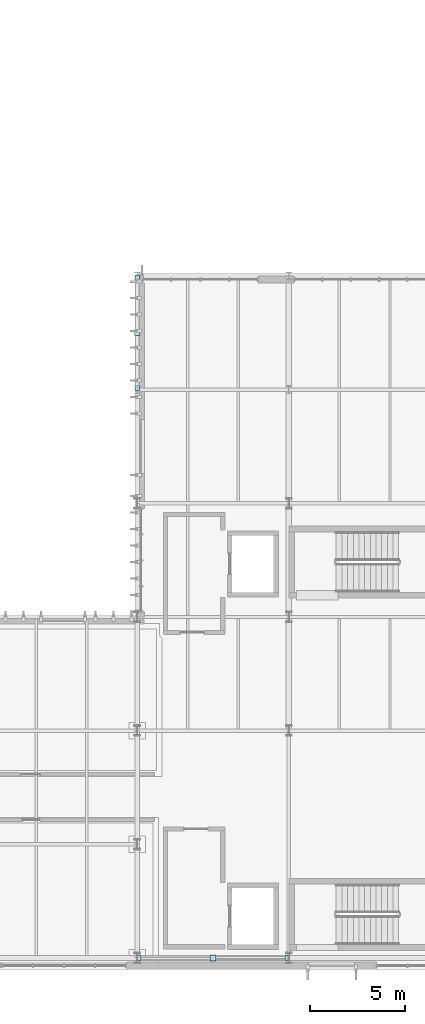
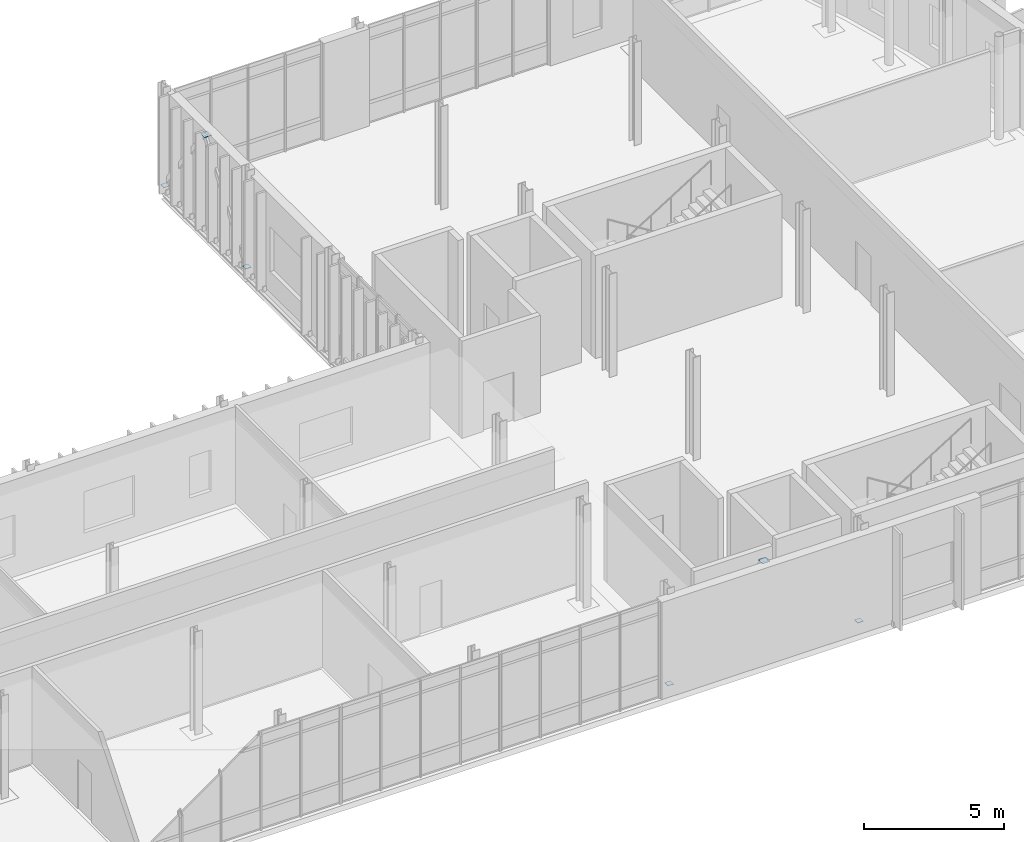
# One storey, part 58 of 86: 6 plates.
"""IFC4 building model written with IfcOpenShell, lengths in metres."""

import ifcopenshell
import ifcopenshell.guid

model = None  # the IFC model being written
_history = None  # IfcOwnerHistory: only IFC2X3 demands one
_inside = {}  # id of a spatial element -> (the spatial element, [elements in it])
_under = {}  # id of a project, library or spatial element -> (it, [spatial elements below it])
_declared = {}  # id of a project -> (the project, [libraries it declares])
_typed = {}  # id of a type object -> (the type object, [elements of that type])
_made_of = {}  # id of a material, layer set ... -> (it, [elements and type objects made of it])


def new_model(schema):
    """Start an empty IFC model of exactly this schema.

    Asked for "IFC4X3", IfcOpenShell would pick the latest addendum, in which some entities
    have other attributes; the version numbers below select the first issue.
    IFC2X3 requires an IfcOwnerHistory on every rooted entity: one is made here for all.
    """
    global model, _history
    if schema == "IFC4X3":
        model = ifcopenshell.file(schema_version=(4, 3, 0, 0))
    else:
        model = ifcopenshell.file(schema=schema)
    _inside.clear()
    _under.clear()
    _declared.clear()
    _typed.clear()
    _made_of.clear()
    _history = None
    if model.schema == "IFC2X3":
        org = make("IfcOrganization", Name="unknown")
        user = make(
            "IfcPersonAndOrganization",
            ThePerson=make("IfcPerson", FamilyName="unknown"),
            TheOrganization=org,
        )
        app = make(
            "IfcApplication",
            ApplicationDeveloper=org,
            Version="unknown",
            ApplicationFullName="unknown",
            ApplicationIdentifier="unknown",
        )
        _history = make(
            "IfcOwnerHistory",
            OwningUser=user,
            OwningApplication=app,
            ChangeAction="ADDED",
            CreationDate=0,
        )
    return model


def make(cls, **values):
    """One entity of the class cls with the attributes given. An attribute that is None is left unset."""
    return model.create_entity(
        cls, **{name: value for name, value in values.items() if value is not None}
    )


def rooted(cls, **values):
    """An entity with a GlobalId (a new one), such as an element, a storey or a relation."""
    return make(cls, GlobalId=ifcopenshell.guid.new(), OwnerHistory=_history, **values)


def si_unit(unit_type, name, prefix=None):
    """IfcSIUnit, for example si_unit("LENGTHUNIT", "METRE", prefix="MILLI")."""
    return make("IfcSIUnit", UnitType=unit_type, Prefix=prefix, Name=name)


def assignment(units):
    """IfcUnitAssignment: the units of a project."""
    return None if units is None else make("IfcUnitAssignment", Units=units)


def point(xyz):
    """IfcCartesianPoint."""
    return None if xyz is None else make("IfcCartesianPoint", Coordinates=xyz)


def direction(xyz):
    """IfcDirection."""
    return None if xyz is None else make("IfcDirection", DirectionRatios=xyz)


def frame(location, z_axis=None, x_axis=None):
    """IfcAxis2Placement3D, a coordinate frame: its origin and axes. An axis left out is left unset."""
    return make(
        "IfcAxis2Placement3D",
        Location=point(location),
        Axis=direction(z_axis),
        RefDirection=direction(x_axis),
    )


def frame_2d(location, x_axis=None):
    """IfcAxis2Placement2D, a coordinate frame in the plane: its origin and x axis."""
    return make(
        "IfcAxis2Placement2D", Location=point(location), RefDirection=direction(x_axis)
    )


def origin():
    """The frame at (0, 0, 0) with its axes left unset."""
    return frame((0.0, 0.0, 0.0))


def origin_2d():
    """The frame at (0, 0) in the plane with its x axis left unset."""
    return frame_2d((0.0, 0.0))


def place(relative_to, where):
    """IfcLocalPlacement: puts the frame where relative to a parent placement (None: the world)."""
    return make(
        "IfcLocalPlacement", PlacementRelTo=relative_to, RelativePlacement=where
    )


def context(
    kind, dimensions, precision=None, world=None, true_north=None, identifier=None
):
    """IfcGeometricRepresentationContext, for example the 3D "Model" context."""
    return make(
        "IfcGeometricRepresentationContext",
        ContextIdentifier=identifier,
        ContextType=kind,
        CoordinateSpaceDimension=dimensions,
        Precision=precision,
        WorldCoordinateSystem=world,
        TrueNorth=true_north,
    )


def subcontext(parent, identifier, kind, view, scale=None):
    """IfcGeometricRepresentationSubContext, for example "Body" below "Model"."""
    return make(
        "IfcGeometricRepresentationSubContext",
        ContextIdentifier=identifier,
        ContextType=kind,
        ParentContext=parent,
        TargetScale=scale,
        TargetView=view,
    )


def project(units=None, contexts=None):
    """IfcProject with its units and contexts."""
    return rooted(
        "IfcProject",
        Name="project",
        RepresentationContexts=contexts,
        UnitsInContext=assignment(units),
    )


def spatial(cls, under=None, at=None, **own):
    """A site, building, storey or space (cls), placed at a placement, below another one or the project."""
    s = rooted(cls, ObjectPlacement=at, **own)
    if under is not None:
        _under.setdefault(under.id(), (under, []))[1].append(s)
    return s


def profile(cls, at=None, kind="AREA", **sizes):
    """A parametric profile (cls). Its sizes go by their IFC names, for example OverallWidth=200.0."""
    return make(cls, ProfileType=kind, Position=at, **sizes)


def rectangle(**sizes):
    """IfcRectangleProfileDef."""
    return profile("IfcRectangleProfileDef", **sizes)


def extrude(swept, where, along, depth):
    """IfcExtrudedAreaSolid: the profile swept, set in the frame where, extruded along a direction by depth."""
    return make(
        "IfcExtrudedAreaSolid",
        SweptArea=swept,
        Position=where,
        ExtrudedDirection=direction(along),
        Depth=depth,
    )


def shape(context_of_items, identifier, shape_type, items):
    """IfcShapeRepresentation: the items that make up one representation, for example the "Body"."""
    return make(
        "IfcShapeRepresentation",
        ContextOfItems=context_of_items,
        RepresentationIdentifier=identifier,
        RepresentationType=shape_type,
        Items=items,
    )


def material(Name=None, Category=None):
    """IfcMaterial."""
    return make("IfcMaterial", Name=Name, Category=Category)


def layer(
    of_material, thickness, ventilated=None, Name=None, Category=None, Priority=None
):
    """IfcMaterialLayer: one layer of a wall or slab, of a material (None: an air gap)."""
    return make(
        "IfcMaterialLayer",
        Material=of_material,
        LayerThickness=thickness,
        IsVentilated=ventilated,
        Name=Name,
        Category=Category,
        Priority=Priority,
    )


def layer_set(layers, Name=None):
    """IfcMaterialLayerSet."""
    return make("IfcMaterialLayerSet", MaterialLayers=layers, LayerSetName=Name)


def made_of(thing, what):
    """Note that an element or type object is made of a material, layer set ...; save() writes the relation."""
    if what is not None:
        _made_of.setdefault(what.id(), (what, []))[1].append(thing)
    return thing


def type_object(cls, material=None, **own):
    """A type object (cls), such as IfcWallType, which elements share."""
    return made_of(rooted(cls, **own), material)


def element(
    cls,
    number,
    at=None,
    inside=None,
    cuts=None,
    type_object=None,
    material=None,
    context=None,
    identifier="Body",
    shape_type=None,
    held_by="IfcProductDefinitionShape",
    body=None,
    shapes=None,
    **own,
):
    """One element of the class cls, such as IfcWall. Its Tag is "e" and its number.

    at: its placement. inside: the storey or other place that contains it. cuts: it is an
    opening in that element (IfcRelVoidsElement). A single representation is given by context,
    identifier, shape_type and body (its items); several are given by shapes. held_by: the class
    of the entity that holds the representations. save() writes the other relations.
    """
    e = rooted(cls, Tag="e%d" % number, ObjectPlacement=at, **own)
    if body is not None:
        shapes = [shape(context, identifier, shape_type, body)]
    if shapes is not None:
        e.Representation = make(held_by, Representations=shapes)
    if inside is not None:
        _inside.setdefault(inside.id(), (inside, []))[1].append(e)
    if cuts is not None:
        rooted(
            "IfcRelVoidsElement", RelatingBuildingElement=cuts, RelatedOpeningElement=e
        )
    if type_object is not None:
        _typed.setdefault(type_object.id(), (type_object, []))[1].append(e)
    return made_of(e, material)


def aggregate(whole, parts):
    """IfcRelAggregates: a whole, such as a stair, and the parts it consists of."""
    return rooted("IfcRelAggregates", RelatingObject=whole, RelatedObjects=parts)


def save(model, path):
    """Write the relations noted so far, then the file.

    IfcRelAggregates (storeys below a building ...), IfcRelContainedInSpatialStructure (elements
    in a storey), IfcRelDefinesByType, IfcRelAssociatesMaterial and IfcRelDeclares: one each for
    every whole, place, type object, material and project.
    """
    for whole, parts in _under.values():
        aggregate(whole, parts)
    for where, things in _inside.values():
        rooted(
            "IfcRelContainedInSpatialStructure",
            RelatedElements=things,
            RelatingStructure=where,
        )
    for kind, things in _typed.values():
        rooted("IfcRelDefinesByType", RelatedObjects=things, RelatingType=kind)
    for what, things in _made_of.values():
        rooted("IfcRelAssociatesMaterial", RelatedObjects=things, RelatingMaterial=what)
    for by, libraries in _declared.values():
        rooted("IfcRelDeclares", RelatingContext=by, RelatedDefinitions=libraries)
    model.write(path)


model = new_model("IFC4")

# Units and contexts
model_context = context("Model", 3, precision=1e-05, world=origin(), true_north=direction((0.0, 1.0)))
body_context = subcontext(model_context, "Body", "Model", "MODEL_VIEW")
ifc_project = project(units=[si_unit("LENGTHUNIT", "METRE"), si_unit("AREAUNIT", "SQUARE_METRE"), si_unit("VOLUMEUNIT", "CUBIC_METRE"), si_unit("PLANEANGLEUNIT", "RADIAN"), si_unit("MASSUNIT", "GRAM", prefix="KILO")], contexts=[model_context])

# Site, building, storey
site_placement = place(None, origin())
site = spatial("IfcSite", under=ifc_project, at=site_placement, CompositionType="ELEMENT")
building_placement = place(site_placement, origin())
building = spatial("IfcBuilding", under=site, at=building_placement, Name="Cymarion Research Institute", CompositionType="ELEMENT")
storey_placement = place(building_placement, frame((0.0, 0.0, 13.800048828125)))
storey = spatial("IfcBuildingStorey", under=building, at=storey_placement, Name="L03", CompositionType="ELEMENT", Elevation=13.800048828125)

# Plates
ifc_material = material(Name="Steel S355", Category="steel")
ifc_layer_1 = layer(ifc_material, 0.01806640625)
ifc_layer_set_1 = layer_set([ifc_layer_1], Name="Steel S355")
plate_type_1 = type_object("IfcPlateType", Name="STEEL NODE GUSSET PLATE CP01 18MM", PredefinedType="USERDEFINED", material=ifc_layer_set_1)
for number, where, z_axis, x_axis, name in (
    (1, (142.60009765625, 5.5, 4.100830078125), (0.0, 0.0, 1.0), (1.0, 0.0, 0.0), "L03 V1 chevron apex gusset plate"),
    (2, (138.60009765625, 38.5, 4.100830078125), (0.0, 0.0, 1.0), (1.0, 0.0, 0.0), "L03 V1 chevron apex gusset plate"),
):
    element("IfcPlate", number, at=place(storey_placement, frame(where, z_axis=z_axis, x_axis=x_axis)), inside=storey, type_object=plate_type_1, Name=name, ObjectType="GUSSET PLATE", PredefinedType="USERDEFINED", context=body_context, shape_type="SweptSolid", body=[
        extrude(rectangle(XDim=0.300048828125, YDim=0.300048828125, at=origin_2d()), origin(), (0.0, 0.0, 1.0), 0.01806640625),
    ])
ifc_layer_2 = layer(ifc_material, 0.011962890625)
ifc_layer_set_2 = layer_set([ifc_layer_2], Name="Steel S355")
plate_type_2 = type_object("IfcPlateType", Name="STEEL NODE GUSSET PLATE CP02 12MM", PredefinedType="USERDEFINED", material=ifc_layer_set_2)
for number, where, z_axis, x_axis, name in (
    (3, (138.68505859375, 5.5, 0.11376953125), (0.0, 0.0, 1.0), (1.0, 0.0, 0.0), "L03 V1 chevron base gusset plate #1"),
    (4, (146.514892578125, 5.5, 0.11376953125), (0.0, 0.0, 1.0), (1.0, 0.0, 0.0), "L03 V1 chevron base gusset plate #2"),
    (5, (138.60009765625, 35.572021484375, 0.11376953125), (0.0, 0.0, 1.0), (1.0, 0.0, 0.0), "L03 V1 chevron base gusset plate #1"),
    (6, (138.60009765625, 41.427978515625, 0.11376953125), (0.0, 0.0, 1.0), (1.0, 0.0, 0.0), "L03 V1 chevron base gusset plate #2"),
):
    element("IfcPlate", number, at=place(storey_placement, frame(where, z_axis=z_axis, x_axis=x_axis)), inside=storey, type_object=plate_type_2, Name=name, ObjectType="GUSSET PLATE", PredefinedType="USERDEFINED", context=body_context, shape_type="SweptSolid", body=[
        extrude(rectangle(XDim=0.239990234375, YDim=0.239990234375, at=origin_2d()), origin(), (0.0, 0.0, 1.0), 0.011962890625),
    ])

save(model, "model.ifc")
